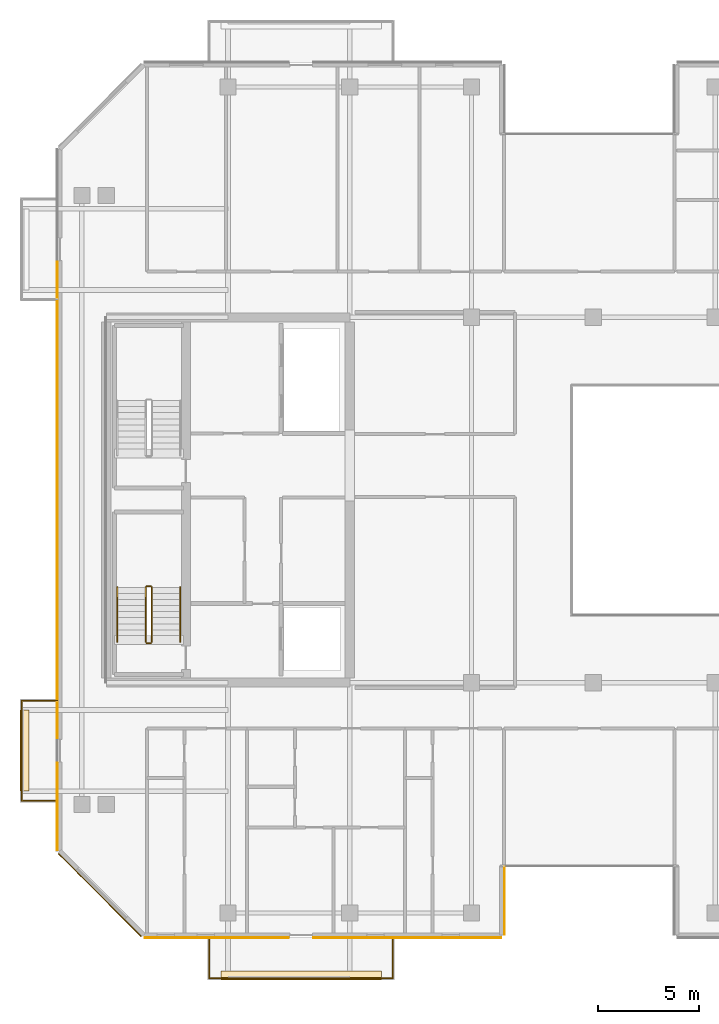
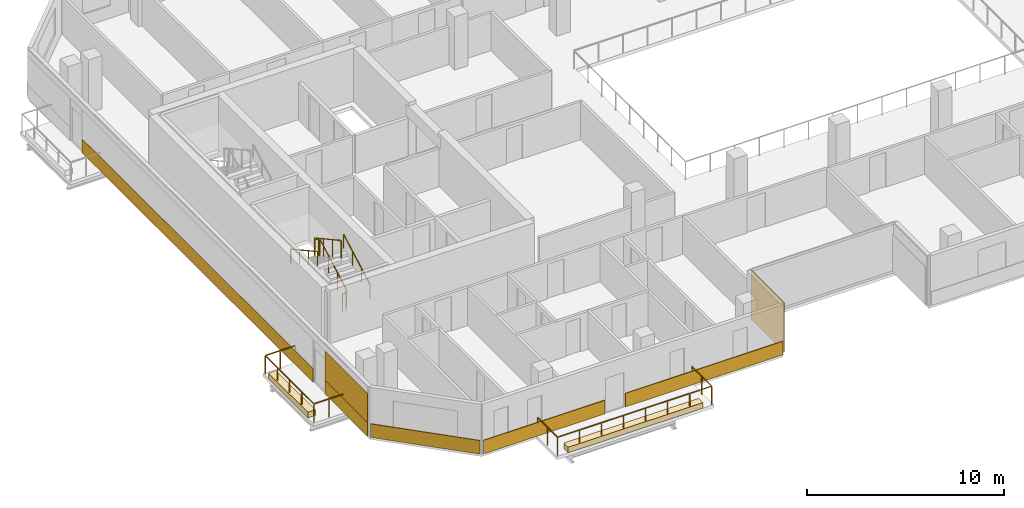
# One storey, part 17 of 20: 9 coverings, 8 railings.
"""IFC4 building model written with IfcOpenShell, lengths in metres."""

from ifc_helpers import new_model, si_unit, direction, frame, origin, origin_2d, place, context, subcontext, project, spatial, polyline, rectangle, outline, extrude, material, layer, layer_set, type_object, element, save


model = new_model("IFC4")

# Units and contexts
model_context = context("Model", 3, precision=1e-05, world=origin(), true_north=direction((0.0, 1.0)))
body_context = subcontext(model_context, "Body", "Model", "MODEL_VIEW")
ifc_project = project(units=[si_unit("LENGTHUNIT", "METRE"), si_unit("AREAUNIT", "SQUARE_METRE"), si_unit("VOLUMEUNIT", "CUBIC_METRE"), si_unit("PLANEANGLEUNIT", "RADIAN"), si_unit("MASSUNIT", "GRAM", prefix="KILO")], contexts=[model_context])

# Site, building, storey
site_placement = place(None, origin())
site = spatial("IfcSite", under=ifc_project, at=site_placement, CompositionType="ELEMENT")
building_placement = place(site_placement, origin())
building = spatial("IfcBuilding", under=site, at=building_placement, Name="Tanjung Sevakor Pilgrim Tower", CompositionType="ELEMENT")
storey_placement = place(building_placement, frame((0.0, 0.0, 201.6298828125)))
storey = spatial("IfcBuildingStorey", under=building, at=storey_placement, Name="L56", CompositionType="ELEMENT", Elevation=201.6298828125)

# Coverings
ifc_material_1 = material(Name="Reconstructed Limestone Cladding", Category="masonry")
ifc_layer_1 = layer(ifc_material_1, 0.044921875)
ifc_layer_set_1 = layer_set([ifc_layer_1], Name="COV-CLAD-LIMESTONE")
covering_type_1 = type_object("IfcCoveringType", Name="COV-CLAD-LIMESTONE", PredefinedType="CLADDING", material=ifc_layer_set_1)
covering_1_placement = place(storey_placement, frame((29.437744140625, 12.027587890625, 0.01025390625), z_axis=(0.0, 0.0, 1.0), x_axis=(1.0, 0.0, 0.0)))
element("IfcCovering", 1, at=covering_1_placement, inside=storey, type_object=covering_type_1, Name="L56 Warm Limestone Sill Spandrel EW-L56-MAIN-1-1", PredefinedType="CLADDING", context=body_context, shape_type="SweptSolid", body=[
    extrude(rectangle(XDim=7.1044921875, YDim=0.044921875, at=origin_2d()), origin(), (0.0, 0.0, 1.0), 0.840087890625),
])
covering_2_placement = place(storey_placement, frame((38.830078125, 12.027587890625, 0.01025390625), z_axis=(0.0, 0.0, 1.0), x_axis=(1.0, 0.0, 0.0)))
element("IfcCovering", 2, at=covering_2_placement, inside=storey, type_object=covering_type_1, Name="L56 Warm Limestone Sill Spandrel EW-L56-MAIN-1-2", PredefinedType="CLADDING", context=body_context, shape_type="SweptSolid", body=[
    extrude(rectangle(XDim=9.239990234375, YDim=0.044921875, at=origin_2d()), origin(), (0.0, 0.0, 1.0), 0.840087890625),
])
covering_3_placement = place(storey_placement, frame((43.62255859375, 13.860107421875, 0.02001953125), z_axis=(0.0, 0.0, 1.0), x_axis=(0.0, 1.0, 0.0)))
element("IfcCovering", 3, at=covering_3_placement, inside=storey, type_object=covering_type_1, Name="L56 Warm Limestone Wall Cladding EW-L56-MAIN-2", PredefinedType="CLADDING", context=body_context, shape_type="SweptSolid", body=[
    extrude(rectangle(XDim=3.360107421875, YDim=0.044921875, at=origin_2d()), origin(), (0.0, 0.0, 1.0), 3.0400390625),
])
covering_4_placement = place(storey_placement, frame((21.577392578125, 33.60009765625, 0.01025390625), z_axis=(0.0, 0.0, 1.0), x_axis=(0.0, -1.0, 0.0)))
element("IfcCovering", 4, at=covering_4_placement, inside=storey, type_object=covering_type_1, Name="L56 Warm Limestone Sill Spandrel EW-L56-MAIN-15-2", PredefinedType="CLADDING", context=body_context, shape_type="SweptSolid", body=[
    extrude(rectangle(XDim=23.47998046875, YDim=0.044921875, at=origin_2d()), origin(), (0.0, 0.0, 1.0), 0.840087890625),
])
covering_5_placement = place(storey_placement, frame((21.577392578125, 18.48779296875, 0.01025390625), z_axis=(0.0, 0.0, 1.0), x_axis=(0.0, -1.0, 0.0)))
element("IfcCovering", 5, at=covering_5_placement, inside=storey, type_object=covering_type_1, Name="L56 Warm Limestone Sill Spandrel EW-L56-MAIN-15-3", PredefinedType="CLADDING", context=body_context, shape_type="SweptSolid", body=[
    extrude(rectangle(XDim=4.304443359375, YDim=0.044921875, at=origin_2d()), origin(), (0.0, 0.0, 1.0), 0.840087890625),
])
covering_6_placement = place(storey_placement, frame((21.577392578125, 18.492919921875, 0.85009765625), z_axis=(0.0, 0.0, 1.0), x_axis=(0.0, -1.0, 0.0)))
element("IfcCovering", 6, at=covering_6_placement, inside=storey, type_object=covering_type_1, Name="L56 Warm Limestone Pier Panel EW-L56-MAIN-15-3", PredefinedType="CLADDING", context=body_context, shape_type="SweptSolid", body=[
    extrude(rectangle(XDim=4.314453125, YDim=0.044921875, at=origin_2d()), origin(), (0.0, 0.0, 1.0), 1.81005859375),
])
covering_7_placement = place(storey_placement, frame((23.68408203125, 14.134033203125, 0.01025390625), z_axis=(0.0, 0.0, 1.0), x_axis=(0.707106781187, -0.707106781187, 0.0)))
element("IfcCovering", 7, at=covering_7_placement, inside=storey, type_object=covering_type_1, Name="L56 Warm Limestone Sill Spandrel EW-CHM-L56-MAIN-15-1", PredefinedType="CLADDING", context=body_context, shape_type="SweptSolid", body=[
    extrude(rectangle(XDim=5.7685546875, YDim=0.044921875, at=origin_2d()), origin(), (0.0, 0.0, 1.0), 0.840087890625),
])
ifc_material_2 = material(Name="Vegetated Modular Planter Assembly", Category="organic")
ifc_layer_2 = layer(ifc_material_2, 0.35009765625)
ifc_layer_set_2 = layer_set([ifc_layer_2], Name="COV-GRN-TROUGH")
covering_type_2 = type_object("IfcCoveringType", Name="COV-GRN-TROUGH", PredefinedType="CLADDING", material=ifc_layer_set_2)
covering_8_placement = place(storey_placement, origin())
element("IfcCovering", 8, at=covering_8_placement, inside=storey, type_object=covering_type_2, Name="L56 Planted Landscape Hedge Trough BGRN-L56-MAIN-S1", PredefinedType="CLADDING", context=body_context, shape_type="SweptSolid", body=[
    extrude(outline(polyline([(29.64990234375, 9.949951171875), (37.550048828125, 9.949951171875), (37.550048828125, 10.389892578125), (29.64990234375, 10.389892578125), (29.64990234375, 9.949951171875)])), origin(), (0.0, 0.0, 1.0), 0.35009765625),
])
covering_9_placement = place(storey_placement, origin())
element("IfcCovering", 9, at=covering_9_placement, inside=storey, type_object=covering_type_2, Name="L56 Planted Landscape Hedge Trough BGRN-L56-MAIN-W1", PredefinedType="CLADDING", context=body_context, shape_type="SweptSolid", body=[
    extrude(outline(polyline([(20.18994140625, 19.25), (20.18994140625, 23.25), (19.75, 23.25), (19.75, 19.25), (20.18994140625, 19.25)])), origin(), (0.0, 0.0, 1.0), 0.35009765625),
])

# Railings
ifc_material_3 = material(Name="Laminated Glass and Aluminium", Category="aluminium")
railing_type_1 = type_object("IfcRailingType", Name="RL-BAL-BALUST", PredefinedType="BALUSTRADE", material=ifc_material_3)
railing_1_placement = place(storey_placement, frame((29.080078125, 12.050048828125, 0.0)))
element("IfcRailing", 10, at=railing_1_placement, inside=storey, type_object=railing_type_1, Name="L56 Loggia Balustrade MAIN-S1", PredefinedType="BALUSTRADE", context=body_context, shape_type="SweptSolid", body=[
    extrude(rectangle(XDim=0.0479, YDim=0.0479), frame((0.0, 0.0, 1.1259765625), z_axis=(0.0, -1.0, 0.0), x_axis=(1.0, 0.0, 0.0)), (0.0, 0.0, 1.0), 2.02001953125),
    extrude(rectangle(XDim=0.0479, YDim=0.0479), frame((0.0, -2.02001953125, 1.1259765625), z_axis=(1.0, 0.0, 0.0), x_axis=(0.0, 1.0, 0.0)), (0.0, 0.0, 1.0), 9.0400390625),
    extrude(rectangle(XDim=0.0479, YDim=0.0479), frame((9.0400390625, -2.02001953125, 1.1259765625), z_axis=(0.0, 1.0, 0.0), x_axis=(-1.0, 0.0, 0.0)), (0.0, 0.0, 1.0), 2.02001953125),
    extrude(rectangle(XDim=0.042, YDim=0.042), origin(), (0.0, 0.0, 1.0), 1.101806640625),
    extrude(rectangle(XDim=0.042, YDim=0.042), frame((0.0, -1.010009765625, 0.0)), (0.0, 0.0, 1.0), 1.101806640625),
    extrude(rectangle(XDim=0.042, YDim=0.042), frame((0.0, -2.02001953125, 0.0)), (0.0, 0.0, 1.0), 1.101806640625),
    extrude(rectangle(XDim=0.042, YDim=0.042), frame((1.29150390625, -2.02001953125, 0.0)), (0.0, 0.0, 1.0), 1.101806640625),
    extrude(rectangle(XDim=0.042, YDim=0.042), frame((2.582763671875, -2.02001953125, 0.0)), (0.0, 0.0, 1.0), 1.101806640625),
    extrude(rectangle(XDim=0.042, YDim=0.042), frame((3.874267578125, -2.02001953125, 0.0)), (0.0, 0.0, 1.0), 1.101806640625),
    extrude(rectangle(XDim=0.042, YDim=0.042), frame((5.165771484375, -2.02001953125, 0.0)), (0.0, 0.0, 1.0), 1.101806640625),
    extrude(rectangle(XDim=0.042, YDim=0.042), frame((6.457275390625, -2.02001953125, 0.0)), (0.0, 0.0, 1.0), 1.101806640625),
    extrude(rectangle(XDim=0.042, YDim=0.042), frame((7.74853515625, -2.02001953125, 0.0)), (0.0, 0.0, 1.0), 1.101806640625),
    extrude(rectangle(XDim=0.042, YDim=0.042), frame((9.0400390625, -2.02001953125, 0.0)), (0.0, 0.0, 1.0), 1.101806640625),
    extrude(rectangle(XDim=0.042, YDim=0.042), frame((9.0400390625, -1.010009765625, 0.0)), (0.0, 0.0, 1.0), 1.101806640625),
    extrude(rectangle(XDim=0.042, YDim=0.042), frame((9.0400390625, 0.0, 0.0)), (0.0, 0.0, 1.0), 1.101806640625),
])
railing_2_placement = place(storey_placement, frame((21.60009765625, 18.780029296875, 0.0)))
element("IfcRailing", 11, at=railing_2_placement, inside=storey, type_object=railing_type_1, Name="L56 Loggia Balustrade MAIN-W1", PredefinedType="BALUSTRADE", context=body_context, shape_type="SweptSolid", body=[
    extrude(rectangle(XDim=0.0479, YDim=0.0479), frame((0.0, 0.0, 1.1259765625), z_axis=(-1.0, 0.0, 0.0), x_axis=(0.0, -1.0, 0.0)), (0.0, 0.0, 1.0), 1.77001953125),
    extrude(rectangle(XDim=0.0479, YDim=0.0479), frame((-1.77001953125, 0.0, 1.1259765625), z_axis=(0.0, 1.0, 0.0), x_axis=(-1.0, 0.0, 0.0)), (0.0, 0.0, 1.0), 4.93994140625),
    extrude(rectangle(XDim=0.0479, YDim=0.0479), frame((-1.77001953125, 4.93994140625, 1.1259765625), z_axis=(1.0, 0.0, 0.0), x_axis=(0.0, 1.0, 0.0)), (0.0, 0.0, 1.0), 1.77001953125),
    extrude(rectangle(XDim=0.042, YDim=0.042), origin(), (0.0, 0.0, 1.0), 1.101806640625),
    extrude(rectangle(XDim=0.042, YDim=0.042), frame((-0.885009765625, 0.0, 0.0)), (0.0, 0.0, 1.0), 1.101806640625),
    extrude(rectangle(XDim=0.042, YDim=0.042), frame((-1.77001953125, 0.0, 0.0)), (0.0, 0.0, 1.0), 1.101806640625),
    extrude(rectangle(XDim=0.042, YDim=0.042), frame((-1.77001953125, 1.23486328125, 0.0)), (0.0, 0.0, 1.0), 1.101806640625),
    extrude(rectangle(XDim=0.042, YDim=0.042), frame((-1.77001953125, 2.469970703125, 0.0)), (0.0, 0.0, 1.0), 1.101806640625),
    extrude(rectangle(XDim=0.042, YDim=0.042), frame((-1.77001953125, 3.705078125, 0.0)), (0.0, 0.0, 1.0), 1.101806640625),
    extrude(rectangle(XDim=0.042, YDim=0.042), frame((-1.77001953125, 4.93994140625, 0.0)), (0.0, 0.0, 1.0), 1.101806640625),
    extrude(rectangle(XDim=0.042, YDim=0.042), frame((-0.885009765625, 4.93994140625, 0.0)), (0.0, 0.0, 1.0), 1.101806640625),
    extrude(rectangle(XDim=0.042, YDim=0.042), frame((0.0, 4.93994140625, 0.0)), (0.0, 0.0, 1.0), 1.101806640625),
])
ifc_material_4 = material(Name="Steel S355J2", Category="steel")
railing_type_2 = type_object("IfcRailingType", Name="RL-STAIR-GUARD", PredefinedType="GUARDRAIL", material=ifc_material_4)
railing_3_placement = place(storey_placement, frame((26.25, 26.60009765625, 0.1650390625)))
element("IfcRailing", 12, at=railing_3_placement, inside=storey, type_object=railing_type_2, Name="L56 TS-W1 stair guard 1", PredefinedType="GUARDRAIL", context=body_context, shape_type="SweptSolid", body=[
    extrude(rectangle(XDim=0.0479, YDim=0.0479), frame((0.0, 0.0, 1.076171875), z_axis=(0.0, 0.876197507361, 0.481952205197), x_axis=(-1.0, 0.0, 0.0)), (0.0, 0.0, 1.0), 3.08154296875),
    extrude(rectangle(XDim=0.042, YDim=0.042), origin(), (0.0, 0.0, 1.0), 1.052001953125),
    extrude(rectangle(XDim=0.042, YDim=0.042), frame((0.0, 0.89990234375, 0.4951171875)), (0.0, 0.0, 1.0), 1.052001953125),
    extrude(rectangle(XDim=0.042, YDim=0.042), frame((0.0, 1.800048828125, 0.989990234375)), (0.0, 0.0, 1.0), 1.052001953125),
    extrude(rectangle(XDim=0.042, YDim=0.042), frame((0.0, 2.699951171875, 1.485107421875)), (0.0, 0.0, 1.0), 1.052001953125),
])
railing_4_placement = place(storey_placement, frame((26.199951171875, 29.35009765625, 1.650146484375)))
element("IfcRailing", 13, at=railing_4_placement, inside=storey, type_object=railing_type_2, Name="L56 TS-W1 stair guard 2", PredefinedType="GUARDRAIL", context=body_context, shape_type="SweptSolid", body=[
    extrude(rectangle(XDim=0.0479, YDim=0.0479), frame((0.0, 0.0, 1.076171875), z_axis=(-1.0, 0.0, 0.0), x_axis=(0.0, -1.0, 0.0)), (0.0, 0.0, 1.0), 0.199951171875),
    extrude(rectangle(XDim=0.042, YDim=0.042), origin(), (0.0, 0.0, 1.0), 1.052001953125),
    extrude(rectangle(XDim=0.042, YDim=0.042), frame((-0.199951171875, 0.0, 0.0)), (0.0, 0.0, 1.0), 1.052001953125),
])
railing_5_placement = place(storey_placement, frame((25.949951171875, 29.300048828125, 1.815185546875)))
element("IfcRailing", 14, at=railing_5_placement, inside=storey, type_object=railing_type_2, Name="L56 TS-W1 stair guard 3", PredefinedType="GUARDRAIL", context=body_context, shape_type="SweptSolid", body=[
    extrude(rectangle(XDim=0.0479, YDim=0.0479), frame((0.0, 0.0, 1.076171875), z_axis=(0.0, -0.876230963923, 0.481891375584), x_axis=(1.0, 0.0, 0.0)), (0.0, 0.0, 1.0), 3.081298828125),
    extrude(rectangle(XDim=0.042, YDim=0.042), origin(), (0.0, 0.0, 1.0), 1.052001953125),
    extrude(rectangle(XDim=0.042, YDim=0.042), frame((0.0, -0.89990234375, 0.494873046875)), (0.0, 0.0, 1.0), 1.052001953125),
    extrude(rectangle(XDim=0.042, YDim=0.042), frame((0.0, -1.800048828125, 0.989990234375)), (0.0, 0.0, 1.0), 1.052001953125),
    extrude(rectangle(XDim=0.042, YDim=0.042), frame((0.0, -2.699951171875, 1.48486328125)), (0.0, 0.0, 1.0), 1.052001953125),
])
railing_6_placement = place(storey_placement, frame((26.199951171875, 26.550048828125, 0.0)))
element("IfcRailing", 15, at=railing_6_placement, inside=storey, type_object=railing_type_2, Name="L56 TS-W1 stair guard 4", PredefinedType="GUARDRAIL", context=body_context, shape_type="SweptSolid", body=[
    extrude(rectangle(XDim=0.0479, YDim=0.0479), frame((0.0, 0.0, 1.076171875), z_axis=(-1.0, 0.0, 0.0), x_axis=(0.0, -1.0, 0.0)), (0.0, 0.0, 1.0), 0.199951171875),
    extrude(rectangle(XDim=0.042, YDim=0.042), origin(), (0.0, 0.0, 1.0), 1.052001953125),
    extrude(rectangle(XDim=0.042, YDim=0.042), frame((-0.199951171875, 0.0, 0.0)), (0.0, 0.0, 1.0), 1.052001953125),
])
ifc_material_5 = material(Name="Steel S355J2", Category="steel")
railing_type_3 = type_object("IfcRailingType", Name="RL-STAIR-HAND", PredefinedType="HANDRAIL", material=ifc_material_5)
railing_7_placement = place(storey_placement, frame((27.64990234375, 26.60009765625, 0.1650390625)))
element("IfcRailing", 16, at=railing_7_placement, inside=storey, type_object=railing_type_3, Name="L56 TS-W1 stair handrail 1", PredefinedType="HANDRAIL", context=body_context, shape_type="SweptSolid", body=[
    extrude(rectangle(XDim=0.0479, YDim=0.0479), frame((0.0, 0.0, 0.8759765625), z_axis=(0.0, 0.876197507361, 0.481952205197), x_axis=(-1.0, 0.0, 0.0)), (0.0, 0.0, 1.0), 3.08154296875),
    extrude(rectangle(XDim=0.042, YDim=0.042), origin(), (0.0, 0.0, 1.0), 0.851806640625),
    extrude(rectangle(XDim=0.042, YDim=0.042), frame((0.0, 0.89990234375, 0.4951171875)), (0.0, 0.0, 1.0), 0.851806640625),
    extrude(rectangle(XDim=0.042, YDim=0.042), frame((0.0, 1.800048828125, 0.989990234375)), (0.0, 0.0, 1.0), 0.851806640625),
    extrude(rectangle(XDim=0.042, YDim=0.042), frame((0.0, 2.699951171875, 1.485107421875)), (0.0, 0.0, 1.0), 0.851806640625),
])
railing_8_placement = place(storey_placement, frame((24.550048828125, 29.300048828125, 1.815185546875)))
element("IfcRailing", 17, at=railing_8_placement, inside=storey, type_object=railing_type_3, Name="L56 TS-W1 stair handrail 2", PredefinedType="HANDRAIL", context=body_context, shape_type="SweptSolid", body=[
    extrude(rectangle(XDim=0.0479, YDim=0.0479), frame((0.0, 0.0, 0.8759765625), z_axis=(0.0, -0.876230963923, 0.481891375584), x_axis=(1.0, 0.0, 0.0)), (0.0, 0.0, 1.0), 3.081298828125),
    extrude(rectangle(XDim=0.042, YDim=0.042), origin(), (0.0, 0.0, 1.0), 0.851806640625),
    extrude(rectangle(XDim=0.042, YDim=0.042), frame((0.0, -0.89990234375, 0.494873046875)), (0.0, 0.0, 1.0), 0.851806640625),
    extrude(rectangle(XDim=0.042, YDim=0.042), frame((0.0, -1.800048828125, 0.989990234375)), (0.0, 0.0, 1.0), 0.851806640625),
    extrude(rectangle(XDim=0.042, YDim=0.042), frame((0.0, -2.699951171875, 1.48486328125)), (0.0, 0.0, 1.0), 0.851806640625),
])

save(model, "model.ifc")
